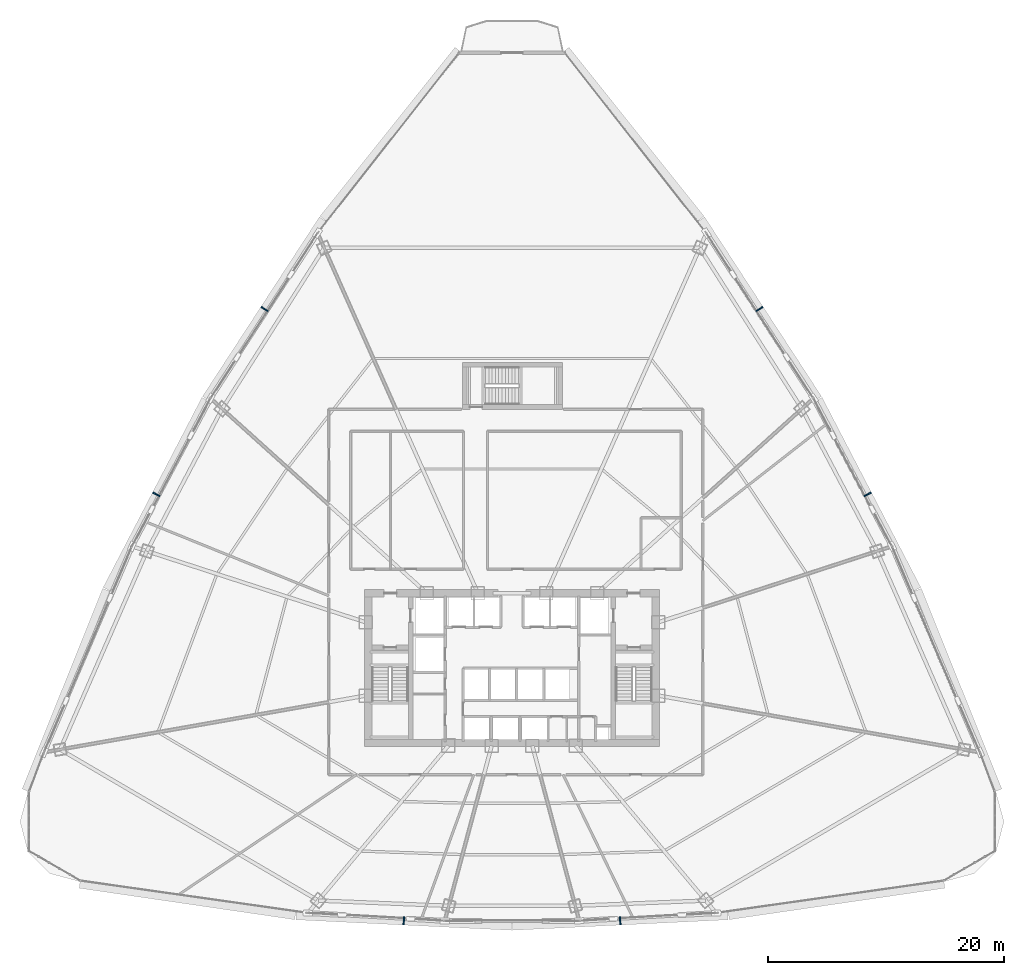
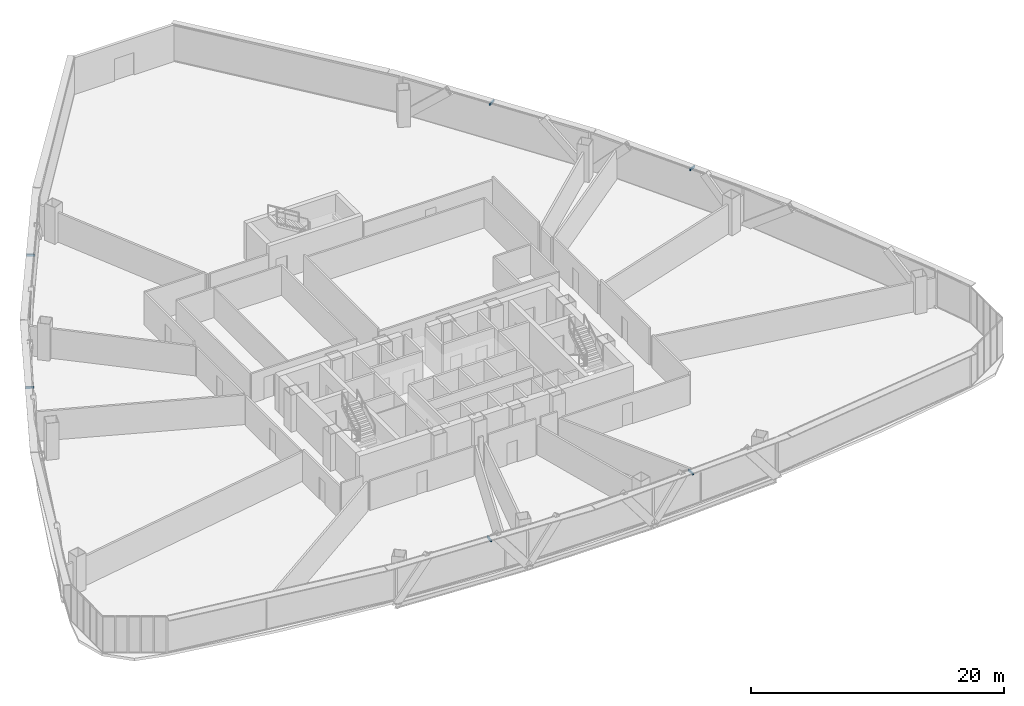
# One storey, part 37 of 41: 6 discrete accessories.
"""IFC4 building model written with IfcOpenShell, lengths in metres."""

from ifc_helpers import new_model, si_unit, direction, frame, origin, origin_2d, place, context, subcontext, project, spatial, rectangle, extrude, source, transform, mapped, material, type_object, element, save


model = new_model("IFC4")

# Units and contexts
model_context = context("Model", 3, precision=1e-05, world=origin(), true_north=direction((0.0, 1.0)))
body_context = subcontext(model_context, "Body", "Model", "MODEL_VIEW")
ifc_project = project(units=[si_unit("LENGTHUNIT", "METRE"), si_unit("AREAUNIT", "SQUARE_METRE"), si_unit("VOLUMEUNIT", "CUBIC_METRE"), si_unit("PLANEANGLEUNIT", "RADIAN"), si_unit("MASSUNIT", "GRAM", prefix="KILO"), si_unit("THERMODYNAMICTEMPERATUREUNIT", "KELVIN"), si_unit("POWERUNIT", "WATT")], contexts=[model_context])

# Site, building, storey
site_placement = place(None, origin())
site = spatial("IfcSite", under=ifc_project, at=site_placement, CompositionType="ELEMENT")
building_placement = place(site_placement, origin())
building = spatial("IfcBuilding", under=site, at=building_placement, Name="Yunzhuo Pagoda Commons", CompositionType="ELEMENT")
storey_placement = place(building_placement, frame((0.0, 0.0, 111.580078125)))
storey = spatial("IfcBuildingStorey", under=building, at=storey_placement, Name="L28", CompositionType="ELEMENT", Elevation=111.580078125)

# Discrete accessories
ifc_material = material(Name="Anodized aluminium 6063-T6", Category="aluminium")
discrete_accessory_type = type_object("IfcDiscreteAccessoryType", Name="BK-SUN1 Sunshade Outrigger Bracket", PredefinedType="BRACKET", material=ifc_material)
shared_shape = source(origin(), body_context, "Body", "SweptSolid", [
    extrude(rectangle(XDim=0.1201171875, YDim=0.679931640625, at=origin_2d()), origin(), (0.0, 0.0, 1.0), 0.179931640625),
])
for number, where, z_axis, x_axis, name in (
    (1, (38.81884765625, 12.4013671875, 3.330078125), (0.0, 0.0, 1.0), (0.998818043775, -0.04860571396, 0.0), "L28 sunshade outrigger bracket F1.2"),
    (2, (57.18115234375, 12.4013671875, 3.330078125), (0.0, 0.0, 1.0), (0.998818043775, 0.04860571396, 0.0), "L28 sunshade outrigger bracket F1.3"),
    (3, (78.18603515625, 48.591552734375, 3.330078125), (0.0, 0.0, 1.0), (-0.461206683033, 0.88729273384, 0.0), "L28 sunshade outrigger bracket F2.2"),
    (4, (69.004638671875, 64.3203125, 3.330078125), (0.0, 0.0, 1.0), (-0.545838756973, 0.837890238269, 0.0), "L28 sunshade outrigger bracket F2.3"),
    (5, (26.995361328125, 64.3203125, 3.330078125), (0.0, 0.0, 1.0), (-0.545838756973, -0.837890238269, 0.0), "L28 sunshade outrigger bracket F3.2"),
    (6, (17.81396484375, 48.591552734375, 3.330078125), (0.0, 0.0, 1.0), (-0.461206683033, -0.88729273384, 0.0), "L28 sunshade outrigger bracket F3.3"),
):
    element("IfcDiscreteAccessory", number, at=place(storey_placement, frame(where, z_axis=z_axis, x_axis=x_axis)), inside=storey, type_object=discrete_accessory_type, Name=name, PredefinedType="BRACKET", context=body_context, shape_type="MappedRepresentation", body=[
        mapped(shared_shape, transform((0.0, 0.0, 0.0), scale=1.0)),
    ])

save(model, "model.ifc")
